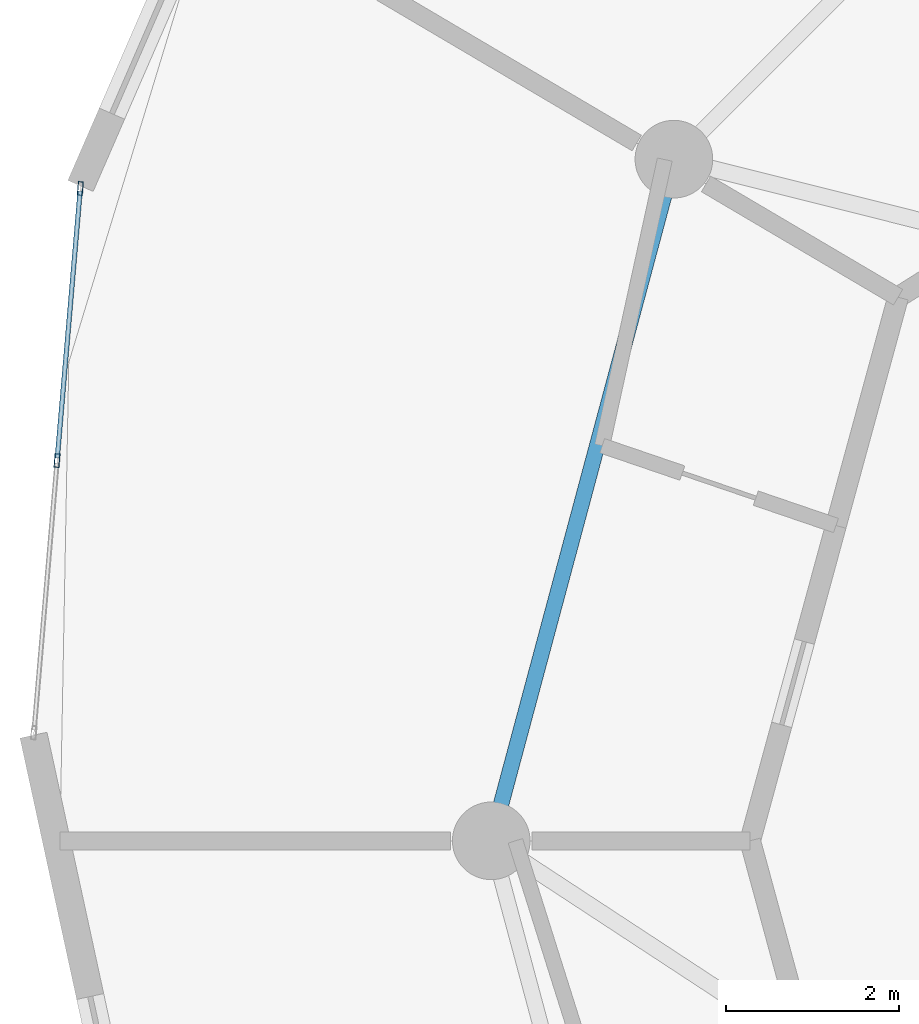
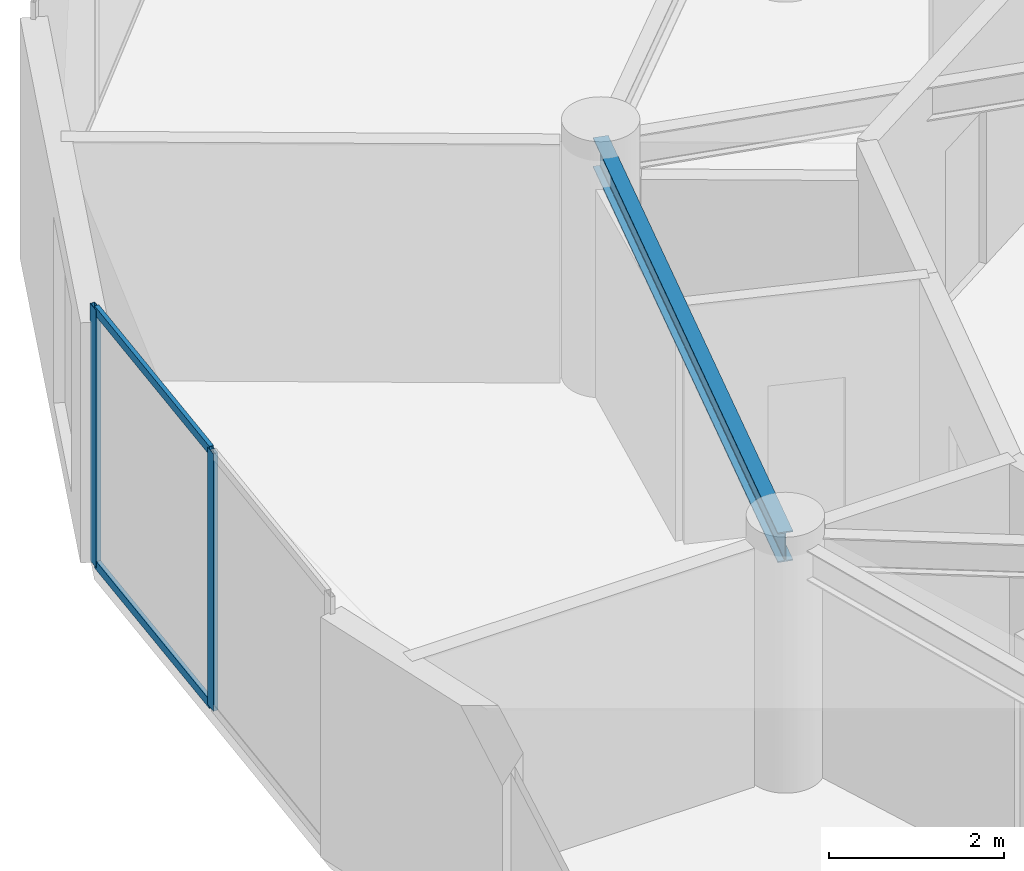
# One storey, part 9 of 23: 4 members, 1 beam, 1 element without a shape of its own.
"""IFC4 building model written with IfcOpenShell, lengths in metres."""

from ifc_helpers import new_model, si_unit, direction, frame, origin, origin_2d, place, context, subcontext, project, spatial, hollow_rectangle, i_section, extrude, source, transform, mapped, material, layer, layer_set, material_profile, profile_set, type_object, element, aggregate, save


model = new_model("IFC4")

# Units and contexts
model_context = context("Model", 3, precision=1e-05, world=origin(), true_north=direction((0.0, 1.0)))
body_context = subcontext(model_context, "Body", "Model", "MODEL_VIEW")
ifc_project = project(units=[si_unit("LENGTHUNIT", "METRE"), si_unit("AREAUNIT", "SQUARE_METRE"), si_unit("VOLUMEUNIT", "CUBIC_METRE"), si_unit("PLANEANGLEUNIT", "RADIAN"), si_unit("MASSUNIT", "GRAM", prefix="KILO")], contexts=[model_context])

# Site, building, storey
site_placement = place(None, origin())
site = spatial("IfcSite", under=ifc_project, at=site_placement, CompositionType="ELEMENT")
building_placement = place(site_placement, origin())
building = spatial("IfcBuilding", under=site, at=building_placement, Name="Solvirekh Grand Hotel", CompositionType="ELEMENT")
storey_placement = place(building_placement, frame((0.0, 0.0, 176.800048828125)))
storey = spatial("IfcBuildingStorey", under=building, at=storey_placement, Name="L45", CompositionType="ELEMENT", Elevation=176.800048828125)

# Beam
ifc_material_1 = material(Name="Steel S355", Category="steel")
ifc_material_profile_1 = material_profile(ifc_material_1, i_section(OverallWidth=0.180908203125, OverallDepth=0.4169921875, WebThickness=0.010009765625, FlangeThickness=0.01611328125, FilletRadius=0.011962890625, at=origin_2d()), Name="W410X85")
ifc_profile_set_1 = profile_set([ifc_material_profile_1], Name="Steel S355")
beam_type = type_object("IfcBeamType", Name="Spandrel_Ring_W410", PredefinedType="SPANDREL", material=ifc_profile_set_1)
beam_placement = place(storey_placement, frame((-13.68310546875, 7.89990234375, 3.15185546875), z_axis=(-0.258838541915, -0.965920601923, 0.0), x_axis=(0.965920601923, -0.258838541915, 0.0)))
element("IfcBeam", 1, at=beam_placement, inside=storey, type_object=beam_type, Name="L45 perimeter spandrel beam 6", PredefinedType="SPANDREL", context=body_context, shape_type="SweptSolid", body=[
    extrude(i_section(OverallWidth=0.180908203125, OverallDepth=0.4169921875, WebThickness=0.010009765625, FlangeThickness=0.01611328125, FilletRadius=0.011962890625, at=origin_2d()), origin(), (0.0, 0.0, 1.0), 8.1787109375),
])

# Curtain wall, members
ifc_material_2 = material(Name="Anodized Bronze Aluminium 6063-T6", Category="aluminium")
ifc_layer = layer(ifc_material_2, 0.159912109375)
ifc_layer_set = layer_set([ifc_layer], Name="Anodized Bronze Aluminium 6063-T6")
curtain_wall_type = type_object("IfcCurtainWallType", Name="CW_Sys4_HighZoneFlushBronzeCW", PredefinedType="NOTDEFINED", material=ifc_layer_set)
curtain_wall_placement = place(storey_placement, origin())
curtain_wall = element("IfcCurtainWall", 2, at=curtain_wall_placement, inside=storey, type_object=curtain_wall_type, Name="L45 unitised bronze-glass curtain wall CW-L45-C13", PredefinedType="NOTDEFINED")
ifc_material_profile_2 = material_profile(ifc_material_2, hollow_rectangle(XDim=0.054931640625, YDim=0.1201171875, WallThickness=0.00390625, at=origin_2d()), Name="ALU RHS 120X55X4")
ifc_profile_set_2 = profile_set([ifc_material_profile_2], Name="Anodized Bronze Aluminium 6063-T6")
member_type_1 = type_object("IfcMemberType", Name="CWTransom_Sys4", PredefinedType="USERDEFINED", material=ifc_profile_set_2)
shared_shape_1 = source(origin(), body_context, "Body", "SweptSolid", [
    extrude(hollow_rectangle(XDim=0.054931640625, YDim=0.1201171875, WallThickness=0.00390625, at=origin_2d()), origin(), (0.0, 0.0, 1.0), 3.1044921875),
])
member_1_placement = place(storey_placement, frame((-20.565185546875, 7.5302734375, 0.02734375), z_axis=(-0.085245008773, -0.996360019511, 0.0), x_axis=(0.996360019511, -0.085245008773, 0.0)))
member_1 = element("IfcMember", 3, at=member_1_placement, type_object=member_type_1, Name="U04 transom 1.1", ObjectType="TRANSOM", PredefinedType="USERDEFINED", context=body_context, shape_type="MappedRepresentation", body=[
    mapped(shared_shape_1, transform((0.0, 0.0, 0.0), x_axis=(1.0, 0.0, 0.0), y_axis=(0.0, 1.0, 0.0), z_axis=(0.0, 0.0, 1.0), scale=1.0)),
])
member_2_placement = place(storey_placement, frame((-20.565185546875, 7.5302734375, 3.572509765625), z_axis=(-0.085245008773, -0.996360019511, 0.0), x_axis=(0.996360019511, -0.085245008773, 0.0)))
member_2 = element("IfcMember", 4, at=member_2_placement, type_object=member_type_1, Name="U04 transom 1.2", ObjectType="TRANSOM", PredefinedType="USERDEFINED", context=body_context, shape_type="MappedRepresentation", body=[
    mapped(shared_shape_1, transform((0.0, 0.0, 0.0), x_axis=(1.0, 0.0, 0.0), y_axis=(0.0, 1.0, 0.0), z_axis=(0.0, 0.0, 1.0), scale=1.0)),
])
ifc_material_profile_3 = material_profile(ifc_material_2, hollow_rectangle(XDim=0.06005859375, YDim=0.159912109375, WallThickness=0.0048828125, at=origin_2d()), Name="ALU RHS 160X60X5")
ifc_profile_set_3 = profile_set([ifc_material_profile_3], Name="Anodized Bronze Aluminium 6063-T6")
member_type_2 = type_object("IfcMemberType", Name="CWMullion_Sys4", PredefinedType="MULLION", material=ifc_profile_set_3)
shared_shape_2 = source(origin(), body_context, "Body", "SweptSolid", [
    extrude(hollow_rectangle(XDim=0.06005859375, YDim=0.159912109375, WallThickness=0.0048828125, at=origin_2d()), origin(), (0.0, 0.0, 1.0), 3.599853515625),
])
member_3_placement = place(storey_placement, frame((-20.5625, 7.56005859375, 0.0), z_axis=(0.0, 0.0, 1.0), x_axis=(0.996355395292, -0.085299040279, 0.0)))
member_3 = element("IfcMember", 5, at=member_3_placement, type_object=member_type_2, Name="U04 mullion 1", PredefinedType="MULLION", context=body_context, shape_type="MappedRepresentation", body=[
    mapped(shared_shape_2, transform((0.0, 0.0, 0.0), x_axis=(1.0, 0.0, 0.0), y_axis=(0.0, 1.0, 0.0), z_axis=(0.0, 0.0, 1.0), scale=1.0)),
])
member_4_placement = place(storey_placement, frame((-20.83251953125, 4.406982421875, 0.0), z_axis=(0.0, 0.0, 1.0), x_axis=(0.996355395292, -0.085299040279, 0.0)))
member_4 = element("IfcMember", 6, at=member_4_placement, type_object=member_type_2, Name="U04 mullion 2", PredefinedType="MULLION", context=body_context, shape_type="MappedRepresentation", body=[
    mapped(shared_shape_2, transform((0.0, 0.0, 0.0), x_axis=(1.0, 0.0, 0.0), y_axis=(0.0, 1.0, 0.0), z_axis=(0.0, 0.0, 1.0), scale=1.0)),
])
aggregate(curtain_wall, [member_3, member_4, member_1, member_2])

save(model, "model.ifc")
